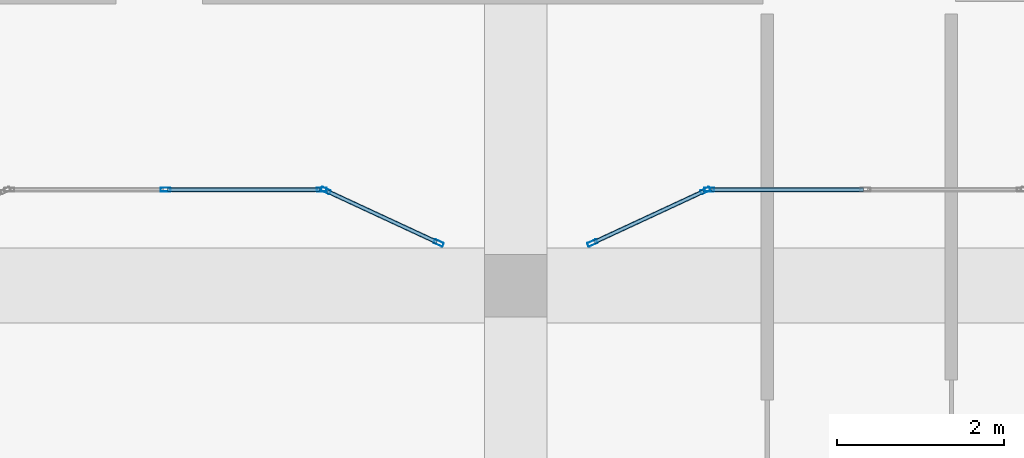
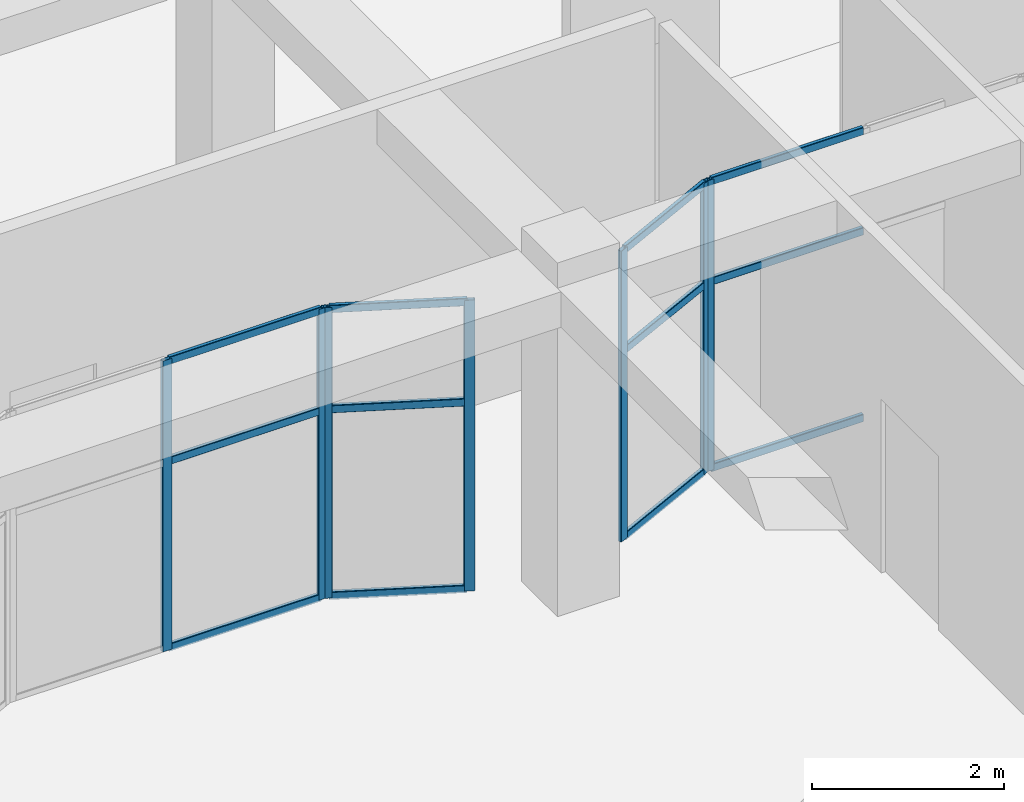
# One storey, part 24 of 121: 19 members, 4 elements without a shape of their own.
"""IFC4 building model written with IfcOpenShell, lengths in metres."""

from ifc_helpers import new_model, si_unit, derived_unit, direction, frame, origin, origin_2d, place, context, subcontext, project, spatial, hollow_rectangle, extrude, material, material_profile, profile_set, type_object, element, aggregate, save


model = new_model("IFC4")

# Units and contexts
model_context = context("Model", 3, precision=1e-05, world=origin(), true_north=direction((0.0, 1.0)))
body_context = subcontext(model_context, "Body", "Model", "MODEL_VIEW")
ifc_project = project(units=[si_unit("LENGTHUNIT", "METRE"), si_unit("AREAUNIT", "SQUARE_METRE"), si_unit("VOLUMEUNIT", "CUBIC_METRE"), si_unit("PLANEANGLEUNIT", "RADIAN"), si_unit("MASSUNIT", "GRAM", prefix="KILO"), derived_unit("THERMALTRANSMITTANCEUNIT", [(si_unit("POWERUNIT", "WATT"), 1), (si_unit("LENGTHUNIT", "METRE"), -2), (si_unit("THERMODYNAMICTEMPERATUREUNIT", "KELVIN"), -1)])], contexts=[model_context])

# Site, building, storey
site_placement = place(None, origin())
site = spatial("IfcSite", under=ifc_project, at=site_placement, CompositionType="ELEMENT")
building_placement = place(site_placement, origin())
building = spatial("IfcBuilding", under=site, at=building_placement, Name="Veybourne Emporium", CompositionType="ELEMENT")
storey_placement = place(building_placement, frame((0.0, 0.0, 5.39990234375)))
storey = spatial("IfcBuildingStorey", under=building, at=storey_placement, Name="L01", CompositionType="ELEMENT", Elevation=5.39990234375)

# Curtain wall, members
ifc_material = material(Name="Patinated Architectural Bronze", Category="bronze")
curtain_wall_type_1 = type_object("IfcCurtainWallType", Name="CWSystem_CWI-05", PredefinedType="NOTDEFINED", material=ifc_material)
curtain_wall_1_placement = place(storey_placement, origin())
curtain_wall_1 = element("IfcCurtainWall", 1, at=curtain_wall_1_placement, inside=storey, type_object=curtain_wall_type_1, Name="Arcade bow-front boutique shopfront L01 bay 9 facet 2", PredefinedType="NOTDEFINED")
ifc_material_profile_1 = material_profile(ifc_material, hollow_rectangle(XDim=0.050048828125, YDim=0.1201171875, WallThickness=0.00390625, InnerFilletRadius=0.006103515625, OuterFilletRadius=0.010009765625, at=origin_2d()), Name="CWM 50x120x4")
ifc_profile_set_1 = profile_set([ifc_material_profile_1], Name="Patinated Architectural Bronze")
member_type_1 = type_object("IfcMemberType", Name="CWMullion_CW-M5", PredefinedType="MULLION", material=ifc_profile_set_1)
member_1_placement = place(storey_placement, frame((79.800048828125, 22.75, 0.0), z_axis=(0.0, 0.0, 1.0), x_axis=(0.0, 1.0, 0.0)))
member_1 = element("IfcMember", 2, at=member_1_placement, type_object=member_type_1, Name="CWI-05 mullion 2", PredefinedType="MULLION", context=body_context, shape_type="SweptSolid", body=[
    extrude(hollow_rectangle(XDim=0.050048828125, YDim=0.1201171875, WallThickness=0.00390625, InnerFilletRadius=0.006103515625, OuterFilletRadius=0.010009765625, at=origin_2d()), origin(), (0.0, 0.0, 1.0), 3.7001953125),
])
member_2_placement = place(storey_placement, frame((81.675048828125, 22.75, 0.0), z_axis=(0.0, 0.0, 1.0), x_axis=(0.0, 1.0, 0.0)))
member_2 = element("IfcMember", 3, at=member_2_placement, type_object=member_type_1, Name="CWI-05 mullion 3", PredefinedType="MULLION", context=body_context, shape_type="SweptSolid", body=[
    extrude(hollow_rectangle(XDim=0.050048828125, YDim=0.1201171875, WallThickness=0.00390625, InnerFilletRadius=0.006103515625, OuterFilletRadius=0.010009765625, at=origin_2d()), origin(), (0.0, 0.0, 1.0), 3.7001953125),
])

curtain_wall_type_2 = type_object("IfcCurtainWallType", Name="CWSystem_CWI-06", PredefinedType="NOTDEFINED", material=ifc_material)
curtain_wall_2_placement = place(storey_placement, origin())
curtain_wall_2 = element("IfcCurtainWall", 4, at=curtain_wall_2_placement, inside=storey, type_object=curtain_wall_type_2, Name="Arcade bow-front boutique shopfront L01 bay 9 facet 3", PredefinedType="NOTDEFINED")
member_3_placement = place(storey_placement, frame((81.72265625, 22.739501953125, 0.0), z_axis=(0.0, 0.0, 1.0), x_axis=(0.421111306453, 0.907008967749, 0.0)))
member_3 = element("IfcMember", 5, at=member_3_placement, type_object=member_type_1, Name="CWI-06 mullion 1", PredefinedType="MULLION", context=body_context, shape_type="SweptSolid", body=[
    extrude(hollow_rectangle(XDim=0.050048828125, YDim=0.1201171875, WallThickness=0.00390625, InnerFilletRadius=0.006103515625, OuterFilletRadius=0.010009765625, at=origin_2d()), origin(), (0.0, 0.0, 1.0), 3.7001953125),
])
member_4_placement = place(storey_placement, frame((83.077392578125, 22.110595703125, 0.0), z_axis=(0.0, 0.0, 1.0), x_axis=(0.421111306453, 0.907008967749, 0.0)))
member_4 = element("IfcMember", 6, at=member_4_placement, type_object=member_type_1, Name="CWI-06 mullion 2", PredefinedType="MULLION", context=body_context, shape_type="SweptSolid", body=[
    extrude(hollow_rectangle(XDim=0.050048828125, YDim=0.1201171875, WallThickness=0.00390625, InnerFilletRadius=0.006103515625, OuterFilletRadius=0.010009765625, at=origin_2d()), origin(), (0.0, 0.0, 1.0), 3.7001953125),
])

curtain_wall_3_placement = place(storey_placement, origin())
curtain_wall_3 = element("IfcCurtainWall", 7, at=curtain_wall_3_placement, inside=storey, type_object=curtain_wall_type_1, Name="Arcade bow-front boutique shopfront L01 bay 10 facet 1", PredefinedType="NOTDEFINED")
member_5_placement = place(storey_placement, frame((84.922607421875, 22.110595703125, 0.0), z_axis=(0.0, 0.0, 1.0), x_axis=(-0.421111306453, 0.907008967749, 0.0)))
member_5 = element("IfcMember", 8, at=member_5_placement, type_object=member_type_1, Name="CWI-05 mullion 1", PredefinedType="MULLION", context=body_context, shape_type="SweptSolid", body=[
    extrude(hollow_rectangle(XDim=0.050048828125, YDim=0.1201171875, WallThickness=0.00390625, InnerFilletRadius=0.006103515625, OuterFilletRadius=0.010009765625, at=origin_2d()), origin(), (0.0, 0.0, 1.0), 3.7001953125),
])
member_6_placement = place(storey_placement, frame((86.27734375, 22.739501953125, 0.0), z_axis=(0.0, 0.0, 1.0), x_axis=(-0.421111306453, 0.907008967749, 0.0)))
member_6 = element("IfcMember", 9, at=member_6_placement, type_object=member_type_1, Name="CWI-05 mullion 2", PredefinedType="MULLION", context=body_context, shape_type="SweptSolid", body=[
    extrude(hollow_rectangle(XDim=0.050048828125, YDim=0.1201171875, WallThickness=0.00390625, InnerFilletRadius=0.006103515625, OuterFilletRadius=0.010009765625, at=origin_2d()), origin(), (0.0, 0.0, 1.0), 3.7001953125),
])

# Curtain wall, member
curtain_wall_4_placement = place(storey_placement, origin())
curtain_wall_4 = element("IfcCurtainWall", 10, at=curtain_wall_4_placement, inside=storey, type_object=curtain_wall_type_2, Name="Arcade bow-front boutique shopfront L01 bay 10 facet 2", PredefinedType="NOTDEFINED")
member_7_placement = place(storey_placement, frame((86.324951171875, 22.75, 0.0), z_axis=(0.0, 0.0, 1.0), x_axis=(0.0, 1.0, 0.0)))
member_7 = element("IfcMember", 11, at=member_7_placement, type_object=member_type_1, Name="CWI-06 mullion 1", PredefinedType="MULLION", context=body_context, shape_type="SweptSolid", body=[
    extrude(hollow_rectangle(XDim=0.050048828125, YDim=0.1201171875, WallThickness=0.00390625, InnerFilletRadius=0.006103515625, OuterFilletRadius=0.010009765625, at=origin_2d()), origin(), (0.0, 0.0, 1.0), 3.7001953125),
])

# Member
ifc_material_profile_2 = material_profile(ifc_material, hollow_rectangle(XDim=0.050048828125, YDim=0.10009765625, WallThickness=0.00390625, InnerFilletRadius=0.006103515625, OuterFilletRadius=0.010009765625, at=origin_2d()), Name="CWT 50x100x4")
ifc_profile_set_2 = profile_set([ifc_material_profile_2], Name="Patinated Architectural Bronze")
member_type_2 = type_object("IfcMemberType", Name="CWTransom_CW-T5", PredefinedType="NOTDEFINED", material=ifc_profile_set_2)
member_8_placement = place(storey_placement, frame((79.824951171875, 22.75, 0.025146484375), z_axis=(1.0, 0.0, 0.0), x_axis=(0.0, 1.0, 0.0)))
member_8 = element("IfcMember", 12, at=member_8_placement, type_object=member_type_2, Name="CWI-05 transom 2.1", ObjectType="TRANSOM", PredefinedType="USERDEFINED", context=body_context, shape_type="SweptSolid", body=[
    extrude(hollow_rectangle(XDim=0.050048828125, YDim=0.10009765625, WallThickness=0.00390625, InnerFilletRadius=0.006103515625, OuterFilletRadius=0.010009765625, at=origin_2d()), origin(), (0.0, 0.0, 1.0), 1.824951171875),
])

member_9_placement = place(storey_placement, frame((79.824951171875, 22.75, 2.400146484375), z_axis=(1.0, 0.0, 0.0), x_axis=(0.0, 1.0, 0.0)))
member_9 = element("IfcMember", 13, at=member_9_placement, type_object=member_type_2, Name="CWI-05 transom 2.2", ObjectType="TRANSOM", PredefinedType="USERDEFINED", context=body_context, shape_type="SweptSolid", body=[
    extrude(hollow_rectangle(XDim=0.050048828125, YDim=0.10009765625, WallThickness=0.00390625, InnerFilletRadius=0.006103515625, OuterFilletRadius=0.010009765625, at=origin_2d()), origin(), (0.0, 0.0, 1.0), 1.824951171875),
])

member_10_placement = place(storey_placement, frame((79.824951171875, 22.75, 3.675048828125), z_axis=(1.0, 0.0, 0.0), x_axis=(0.0, 1.0, 0.0)))
member_10 = element("IfcMember", 14, at=member_10_placement, type_object=member_type_2, Name="CWI-05 transom 2.3", ObjectType="TRANSOM", PredefinedType="USERDEFINED", context=body_context, shape_type="SweptSolid", body=[
    extrude(hollow_rectangle(XDim=0.050048828125, YDim=0.10009765625, WallThickness=0.00390625, InnerFilletRadius=0.006103515625, OuterFilletRadius=0.010009765625, at=origin_2d()), origin(), (0.0, 0.0, 1.0), 1.824951171875),
])

aggregate(curtain_wall_1, [member_1, member_2, member_8, member_9, member_10])

member_11_placement = place(storey_placement, frame((81.745361328125, 22.72900390625, 0.025146484375), z_axis=(0.907006660705, -0.421116275435, 0.0), x_axis=(0.421116275435, 0.907006660705, 0.0)))
member_11 = element("IfcMember", 15, at=member_11_placement, type_object=member_type_2, Name="CWI-06 transom 1.1", ObjectType="TRANSOM", PredefinedType="USERDEFINED", context=body_context, shape_type="SweptSolid", body=[
    extrude(hollow_rectangle(XDim=0.050048828125, YDim=0.10009765625, WallThickness=0.00390625, InnerFilletRadius=0.006103515625, OuterFilletRadius=0.010009765625, at=origin_2d()), origin(), (0.0, 0.0, 1.0), 1.443603515625),
])

member_12_placement = place(storey_placement, frame((81.745361328125, 22.72900390625, 2.400146484375), z_axis=(0.907006660705, -0.421116275435, 0.0), x_axis=(0.421116275435, 0.907006660705, 0.0)))
member_12 = element("IfcMember", 16, at=member_12_placement, type_object=member_type_2, Name="CWI-06 transom 1.2", ObjectType="TRANSOM", PredefinedType="USERDEFINED", context=body_context, shape_type="SweptSolid", body=[
    extrude(hollow_rectangle(XDim=0.050048828125, YDim=0.10009765625, WallThickness=0.00390625, InnerFilletRadius=0.006103515625, OuterFilletRadius=0.010009765625, at=origin_2d()), origin(), (0.0, 0.0, 1.0), 1.443603515625),
])

member_13_placement = place(storey_placement, frame((81.745361328125, 22.72900390625, 3.675048828125), z_axis=(0.907006660705, -0.421116275435, 0.0), x_axis=(0.421116275435, 0.907006660705, 0.0)))
member_13 = element("IfcMember", 17, at=member_13_placement, type_object=member_type_2, Name="CWI-06 transom 1.3", ObjectType="TRANSOM", PredefinedType="USERDEFINED", context=body_context, shape_type="SweptSolid", body=[
    extrude(hollow_rectangle(XDim=0.050048828125, YDim=0.10009765625, WallThickness=0.00390625, InnerFilletRadius=0.006103515625, OuterFilletRadius=0.010009765625, at=origin_2d()), origin(), (0.0, 0.0, 1.0), 1.443603515625),
])

aggregate(curtain_wall_2, [member_3, member_4, member_11, member_12, member_13])

member_14_placement = place(storey_placement, frame((84.9453125, 22.12109375, 0.025146484375), z_axis=(0.907006660705, 0.421116275435, 0.0), x_axis=(-0.421116275435, 0.907006660705, 0.0)))
member_14 = element("IfcMember", 18, at=member_14_placement, type_object=member_type_2, Name="CWI-05 transom 1.1", ObjectType="TRANSOM", PredefinedType="USERDEFINED", context=body_context, shape_type="SweptSolid", body=[
    extrude(hollow_rectangle(XDim=0.050048828125, YDim=0.10009765625, WallThickness=0.00390625, InnerFilletRadius=0.006103515625, OuterFilletRadius=0.010009765625, at=origin_2d()), origin(), (0.0, 0.0, 1.0), 1.443603515625),
])

member_15_placement = place(storey_placement, frame((84.9453125, 22.12109375, 2.400146484375), z_axis=(0.907006660705, 0.421116275435, 0.0), x_axis=(-0.421116275435, 0.907006660705, 0.0)))
member_15 = element("IfcMember", 19, at=member_15_placement, type_object=member_type_2, Name="CWI-05 transom 1.2", ObjectType="TRANSOM", PredefinedType="USERDEFINED", context=body_context, shape_type="SweptSolid", body=[
    extrude(hollow_rectangle(XDim=0.050048828125, YDim=0.10009765625, WallThickness=0.00390625, InnerFilletRadius=0.006103515625, OuterFilletRadius=0.010009765625, at=origin_2d()), origin(), (0.0, 0.0, 1.0), 1.443603515625),
])

member_16_placement = place(storey_placement, frame((84.9453125, 22.12109375, 3.675048828125), z_axis=(0.907006660705, 0.421116275435, 0.0), x_axis=(-0.421116275435, 0.907006660705, 0.0)))
member_16 = element("IfcMember", 20, at=member_16_placement, type_object=member_type_2, Name="CWI-05 transom 1.3", ObjectType="TRANSOM", PredefinedType="USERDEFINED", context=body_context, shape_type="SweptSolid", body=[
    extrude(hollow_rectangle(XDim=0.050048828125, YDim=0.10009765625, WallThickness=0.00390625, InnerFilletRadius=0.006103515625, OuterFilletRadius=0.010009765625, at=origin_2d()), origin(), (0.0, 0.0, 1.0), 1.443603515625),
])

aggregate(curtain_wall_3, [member_5, member_6, member_14, member_15, member_16])

member_17_placement = place(storey_placement, frame((86.35009765625, 22.75, 0.025146484375), z_axis=(1.0, 0.0, 0.0), x_axis=(0.0, 1.0, 0.0)))
member_17 = element("IfcMember", 21, at=member_17_placement, type_object=member_type_2, Name="CWI-06 transom 1.1", ObjectType="TRANSOM", PredefinedType="USERDEFINED", context=body_context, shape_type="SweptSolid", body=[
    extrude(hollow_rectangle(XDim=0.050048828125, YDim=0.10009765625, WallThickness=0.00390625, InnerFilletRadius=0.006103515625, OuterFilletRadius=0.010009765625, at=origin_2d()), origin(), (0.0, 0.0, 1.0), 1.824951171875),
])

member_18_placement = place(storey_placement, frame((86.35009765625, 22.75, 2.400146484375), z_axis=(1.0, 0.0, 0.0), x_axis=(0.0, 1.0, 0.0)))
member_18 = element("IfcMember", 22, at=member_18_placement, type_object=member_type_2, Name="CWI-06 transom 1.2", ObjectType="TRANSOM", PredefinedType="USERDEFINED", context=body_context, shape_type="SweptSolid", body=[
    extrude(hollow_rectangle(XDim=0.050048828125, YDim=0.10009765625, WallThickness=0.00390625, InnerFilletRadius=0.006103515625, OuterFilletRadius=0.010009765625, at=origin_2d()), origin(), (0.0, 0.0, 1.0), 1.824951171875),
])

member_19_placement = place(storey_placement, frame((86.35009765625, 22.75, 3.675048828125), z_axis=(1.0, 0.0, 0.0), x_axis=(0.0, 1.0, 0.0)))
member_19 = element("IfcMember", 23, at=member_19_placement, type_object=member_type_2, Name="CWI-06 transom 1.3", ObjectType="TRANSOM", PredefinedType="USERDEFINED", context=body_context, shape_type="SweptSolid", body=[
    extrude(hollow_rectangle(XDim=0.050048828125, YDim=0.10009765625, WallThickness=0.00390625, InnerFilletRadius=0.006103515625, OuterFilletRadius=0.010009765625, at=origin_2d()), origin(), (0.0, 0.0, 1.0), 1.824951171875),
])

aggregate(curtain_wall_4, [member_7, member_17, member_18, member_19])

save(model, "model.ifc")
